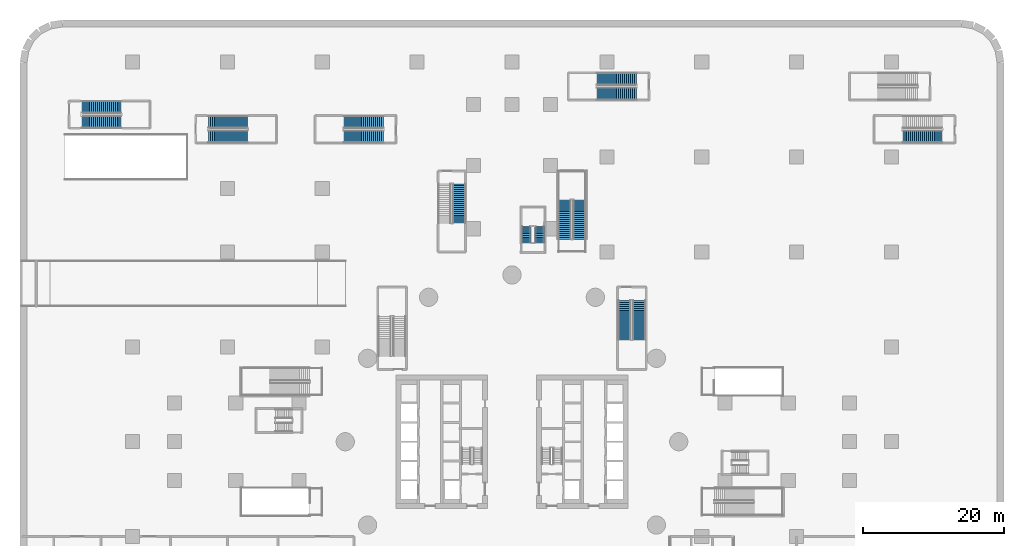
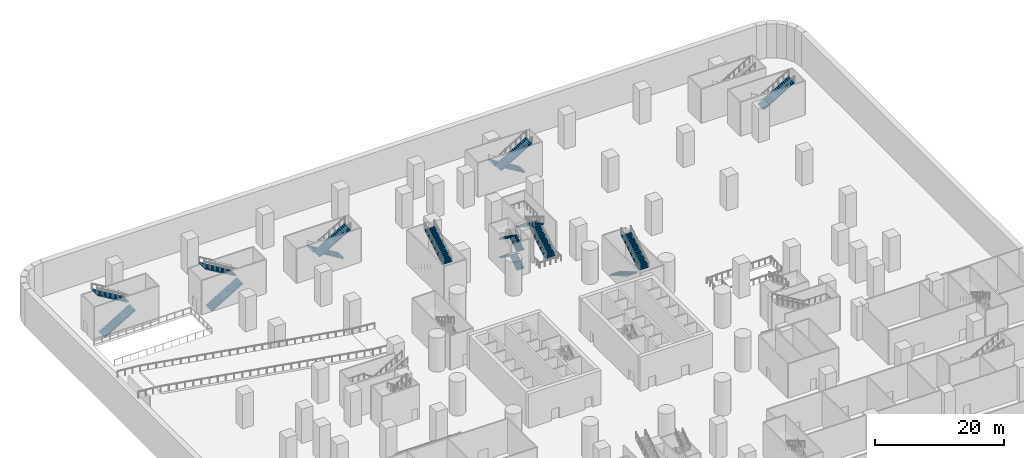
# One storey, part 18 of 37: 18 stair flights, 9 elements without a shape of their own.
"""IFC4 building model written with IfcOpenShell, lengths in metres."""

from ifc_helpers import new_model, si_unit, direction, frame, origin, place, context, subcontext, project, spatial, polyline, outline, extrude, material, type_object, element, aggregate, save


model = new_model("IFC4")

# Units and contexts
model_context = context("Model", 3, precision=1e-05, world=origin(), true_north=direction((0.0, 1.0)))
body_context = subcontext(model_context, "Body", "Model", "MODEL_VIEW")
ifc_project = project(units=[si_unit("LENGTHUNIT", "METRE"), si_unit("AREAUNIT", "SQUARE_METRE"), si_unit("VOLUMEUNIT", "CUBIC_METRE"), si_unit("PLANEANGLEUNIT", "RADIAN"), si_unit("MASSUNIT", "GRAM", prefix="KILO")], contexts=[model_context])

# Site, building, storey
site_placement = place(None, origin())
site = spatial("IfcSite", under=ifc_project, at=site_placement, CompositionType="ELEMENT")
building_placement = place(site_placement, origin())
building = spatial("IfcBuilding", under=site, at=building_placement, Name="Tamarind Cross Interchange Tower", CompositionType="ELEMENT")
storey_placement = place(building_placement, frame((0.0, 0.0, -7.0)))
storey = spatial("IfcBuildingStorey", under=building, at=storey_placement, Name="B1", CompositionType="ELEMENT", Elevation=-7.0)

# Stair, stair flights
ifc_material_1 = material(Name="Exit stair")
stair_type_1 = type_object("IfcStairType", Name="Exit stair", PredefinedType="HALF_TURN_STAIR", material=ifc_material_1)
stair_1_placement = place(storey_placement, origin())
stair_1 = element("IfcStair", 1, at=stair_1_placement, inside=storey, type_object=stair_type_1, Name="B1 exit stair ST4", PredefinedType="HALF_TURN_STAIR")
ifc_material_2 = material(Name="Exit stair flight")
stair_flight_type_1 = type_object("IfcStairFlightType", Name="Exit stair flight", PredefinedType="STRAIGHT", material=ifc_material_2)
stair_flight_1_placement = place(storey_placement, frame((3.949951171875, 28.300048828125, 0.0), z_axis=(0.0, 0.0, 1.0), x_axis=(0.0, 1.0, 0.0)))
stair_flight_1 = element("IfcStairFlight", 2, at=stair_flight_1_placement, type_object=stair_flight_type_1, Name="ST4 flight 1", NumberOfRisers=10, NumberOfTreads=9, PredefinedType="STRAIGHT", RiserHeight=0.175, TreadLength=0.26, context=body_context, shape_type="SweptSolid", body=[
    extrude(outline(polyline([(0.0, 0.0), (0.0, 0.175048828125), (0.260009765625, 0.175048828125), (0.260009765625, 0.35009765625), (0.52001953125, 0.35009765625), (0.52001953125, 0.52490234375), (0.780029296875, 0.52490234375), (0.780029296875, 0.699951171875), (1.0400390625, 0.699951171875), (1.0400390625, 0.875), (1.300048828125, 0.875), (1.300048828125, 1.050048828125), (1.56005859375, 1.050048828125), (1.56005859375, 1.22509765625), (1.820068359375, 1.22509765625), (1.820068359375, 1.39990234375), (2.080078125, 1.39990234375), (2.080078125, 1.574951171875), (2.340087890625, 1.574951171875), (2.340087890625, 1.75), (2.340087890625, 1.394287109375), (0.2685546875, 0.0), (0.0, 0.0)])), frame((0.0, 0.64990234375, 0.0), z_axis=(0.0, -1.0, 0.0), x_axis=(1.0, 0.0, 0.0)), (0.0, 0.0, 1.0), 1.300048828125),
])
stair_flight_2_placement = place(storey_placement, frame((2.050048828125, 30.639892578125, 1.75), z_axis=(0.0, 0.0, 1.0), x_axis=(0.0, -1.0, 0.0)))
stair_flight_2 = element("IfcStairFlight", 3, at=stair_flight_2_placement, type_object=stair_flight_type_1, Name="ST4 flight 2", NumberOfRisers=10, NumberOfTreads=9, PredefinedType="STRAIGHT", RiserHeight=0.175, TreadLength=0.26, context=body_context, shape_type="SweptSolid", body=[
    extrude(outline(polyline([(0.0, 0.0), (0.0, 0.175048828125), (0.260009765625, 0.175048828125), (0.260009765625, 0.35009765625), (0.52001953125, 0.35009765625), (0.52001953125, 0.52490234375), (0.780029296875, 0.52490234375), (0.780029296875, 0.699951171875), (1.0400390625, 0.699951171875), (1.0400390625, 0.875), (1.300048828125, 0.875), (1.300048828125, 1.050048828125), (1.56005859375, 1.050048828125), (1.56005859375, 1.22509765625), (1.820068359375, 1.22509765625), (1.820068359375, 1.39990234375), (2.080078125, 1.39990234375), (2.080078125, 1.574951171875), (2.340087890625, 1.574951171875), (2.340087890625, 1.75), (2.340087890625, 1.394287109375), (0.2685546875, 0.0), (0.0, 0.0)])), frame((0.0, 0.64990234375, 0.0), z_axis=(0.0, -1.0, 0.0), x_axis=(1.0, 0.0, 0.0)), (0.0, 0.0, 1.0), 1.300048828125),
])
stair_flight_3_placement = place(storey_placement, frame((3.949951171875, 28.300048828125, 3.5), z_axis=(0.0, 0.0, 1.0), x_axis=(0.0, 1.0, 0.0)))
stair_flight_3 = element("IfcStairFlight", 4, at=stair_flight_3_placement, type_object=stair_flight_type_1, Name="ST4 flight 3", NumberOfRisers=10, NumberOfTreads=9, PredefinedType="STRAIGHT", RiserHeight=0.175, TreadLength=0.26, context=body_context, shape_type="SweptSolid", body=[
    extrude(outline(polyline([(0.0, 0.0), (0.0, 0.175048828125), (0.260009765625, 0.175048828125), (0.260009765625, 0.35009765625), (0.52001953125, 0.35009765625), (0.52001953125, 0.52490234375), (0.780029296875, 0.52490234375), (0.780029296875, 0.699951171875), (1.0400390625, 0.699951171875), (1.0400390625, 0.875), (1.300048828125, 0.875), (1.300048828125, 1.050048828125), (1.56005859375, 1.050048828125), (1.56005859375, 1.22509765625), (1.820068359375, 1.22509765625), (1.820068359375, 1.39990234375), (2.080078125, 1.39990234375), (2.080078125, 1.574951171875), (2.340087890625, 1.574951171875), (2.340087890625, 1.75), (2.340087890625, 1.394287109375), (0.2685546875, 0.0), (0.0, 0.0)])), frame((0.0, 0.64990234375, 0.0), z_axis=(0.0, -1.0, 0.0), x_axis=(1.0, 0.0, 0.0)), (0.0, 0.0, 1.0), 1.300048828125),
])
stair_flight_4_placement = place(storey_placement, frame((2.050048828125, 30.639892578125, 5.25), z_axis=(0.0, 0.0, 1.0), x_axis=(0.0, -1.0, 0.0)))
stair_flight_4 = element("IfcStairFlight", 5, at=stair_flight_4_placement, type_object=stair_flight_type_1, Name="ST4 flight 4", NumberOfRisers=10, NumberOfTreads=9, PredefinedType="STRAIGHT", RiserHeight=0.175, TreadLength=0.26, context=body_context, shape_type="SweptSolid", body=[
    extrude(outline(polyline([(0.0, 0.0), (0.0, 0.175048828125), (0.260009765625, 0.175048828125), (0.260009765625, 0.35009765625), (0.52001953125, 0.35009765625), (0.52001953125, 0.52490234375), (0.780029296875, 0.52490234375), (0.780029296875, 0.699951171875), (1.0400390625, 0.699951171875), (1.0400390625, 0.875), (1.300048828125, 0.875), (1.300048828125, 1.050048828125), (1.56005859375, 1.050048828125), (1.56005859375, 1.22509765625), (1.820068359375, 1.22509765625), (1.820068359375, 1.39990234375), (2.080078125, 1.39990234375), (2.080078125, 1.574951171875), (2.340087890625, 1.574951171875), (2.340087890625, 1.75), (2.340087890625, 1.394287109375), (0.2685546875, 0.0), (0.0, 0.0)])), frame((0.0, 0.64990234375, 0.0), z_axis=(0.0, -1.0, 0.0), x_axis=(1.0, 0.0, 0.0)), (0.0, 0.0, 1.0), 1.300048828125),
])
aggregate(stair_1, [stair_flight_1, stair_flight_2, stair_flight_3, stair_flight_4])

ifc_material_3 = material(Name="Public stair")
stair_type_2 = type_object("IfcStairType", Name="Public stair", PredefinedType="HALF_TURN_STAIR", material=ifc_material_3)
stair_2_placement = place(storey_placement, origin())
stair_2 = element("IfcStair", 6, at=stair_2_placement, inside=storey, type_object=stair_type_2, Name="B1 public stair PS-N", PredefinedType="HALF_TURN_STAIR")
ifc_material_4 = material(Name="Public stair flight")
stair_flight_type_2 = type_object("IfcStairFlightType", Name="Public stair flight", PredefinedType="STRAIGHT", material=ifc_material_4)
stair_flight_5_placement = place(storey_placement, frame((9.60009765625, 28.800048828125, 0.0), z_axis=(0.0, 0.0, 1.0), x_axis=(0.0, 1.0, 0.0)))
stair_flight_5 = element("IfcStairFlight", 7, at=stair_flight_5_placement, type_object=stair_flight_type_2, Name="PS-N flight 1", NumberOfRisers=21, NumberOfTreads=20, PredefinedType="STRAIGHT", RiserHeight=0.166666667, TreadLength=0.28, context=body_context, shape_type="SweptSolid", body=[
    extrude(outline(polyline([(0.0, 0.0), (0.0, 0.166748046875), (0.280029296875, 0.166748046875), (0.280029296875, 0.333251953125), (0.56005859375, 0.333251953125), (0.56005859375, 0.5), (0.840087890625, 0.5), (0.840087890625, 0.666748046875), (1.1201171875, 0.666748046875), (1.1201171875, 0.833251953125), (1.39990234375, 0.833251953125), (1.39990234375, 1.0), (1.679931640625, 1.0), (1.679931640625, 1.166748046875), (1.9599609375, 1.166748046875), (1.9599609375, 1.333251953125), (2.239990234375, 1.333251953125), (2.239990234375, 1.5), (2.52001953125, 1.5), (2.52001953125, 1.666748046875), (2.800048828125, 1.666748046875), (2.800048828125, 1.833251953125), (3.080078125, 1.833251953125), (3.080078125, 2.0), (3.360107421875, 2.0), (3.360107421875, 2.166748046875), (3.639892578125, 2.166748046875), (3.639892578125, 2.333251953125), (3.919921875, 2.333251953125), (3.919921875, 2.5), (4.199951171875, 2.5), (4.199951171875, 2.666748046875), (4.47998046875, 2.666748046875), (4.47998046875, 2.833251953125), (4.760009765625, 2.833251953125), (4.760009765625, 3.0), (5.0400390625, 3.0), (5.0400390625, 3.166748046875), (5.320068359375, 3.166748046875), (5.320068359375, 3.333251953125), (5.60009765625, 3.333251953125), (5.60009765625, 3.5), (5.60009765625, 3.158935546875), (0.29296875, 0.0), (0.0, 0.0)])), frame((0.0, 0.89990234375, 0.0), z_axis=(0.0, -1.0, 0.0), x_axis=(1.0, 0.0, 0.0)), (0.0, 0.0, 1.0), 1.800048828125),
])
stair_flight_6_placement = place(storey_placement, frame((7.5, 34.39990234375, 3.5), z_axis=(0.0, 0.0, 1.0), x_axis=(0.0, -1.0, 0.0)))
stair_flight_6 = element("IfcStairFlight", 8, at=stair_flight_6_placement, type_object=stair_flight_type_2, Name="PS-N flight 2", NumberOfRisers=21, NumberOfTreads=20, PredefinedType="STRAIGHT", RiserHeight=0.166666667, TreadLength=0.28, context=body_context, shape_type="SweptSolid", body=[
    extrude(outline(polyline([(0.0, 0.0), (0.0, 0.166748046875), (0.280029296875, 0.166748046875), (0.280029296875, 0.333251953125), (0.56005859375, 0.333251953125), (0.56005859375, 0.5), (0.840087890625, 0.5), (0.840087890625, 0.666748046875), (1.1201171875, 0.666748046875), (1.1201171875, 0.833251953125), (1.39990234375, 0.833251953125), (1.39990234375, 1.0), (1.679931640625, 1.0), (1.679931640625, 1.166748046875), (1.9599609375, 1.166748046875), (1.9599609375, 1.333251953125), (2.239990234375, 1.333251953125), (2.239990234375, 1.5), (2.52001953125, 1.5), (2.52001953125, 1.666748046875), (2.800048828125, 1.666748046875), (2.800048828125, 1.833251953125), (3.080078125, 1.833251953125), (3.080078125, 2.0), (3.360107421875, 2.0), (3.360107421875, 2.166748046875), (3.639892578125, 2.166748046875), (3.639892578125, 2.333251953125), (3.919921875, 2.333251953125), (3.919921875, 2.5), (4.199951171875, 2.5), (4.199951171875, 2.666748046875), (4.47998046875, 2.666748046875), (4.47998046875, 2.833251953125), (4.760009765625, 2.833251953125), (4.760009765625, 3.0), (5.0400390625, 3.0), (5.0400390625, 3.166748046875), (5.320068359375, 3.166748046875), (5.320068359375, 3.333251953125), (5.60009765625, 3.333251953125), (5.60009765625, 3.5), (5.60009765625, 3.158935546875), (0.29296875, 0.0), (0.0, 0.0)])), frame((0.0, 0.89990234375, 0.0), z_axis=(0.0, -1.0, 0.0), x_axis=(1.0, 0.0, 0.0)), (0.0, 0.0, 1.0), 1.800048828125),
])
aggregate(stair_2, [stair_flight_5, stair_flight_6])

stair_3_placement = place(storey_placement, origin())
stair_3 = element("IfcStair", 9, at=stair_3_placement, inside=storey, type_object=stair_type_2, Name="B1 exit stair XS-E", PredefinedType="HALF_TURN_STAIR")
stair_flight_7_placement = place(storey_placement, frame((16.0, 20.10009765625, 0.0), z_axis=(0.0, 0.0, 1.0), x_axis=(0.0, -1.0, 0.0)))
stair_flight_7 = element("IfcStairFlight", 10, at=stair_flight_7_placement, type_object=stair_flight_type_2, Name="XS-E flight 1", NumberOfRisers=21, NumberOfTreads=20, PredefinedType="STRAIGHT", RiserHeight=0.166666667, TreadLength=0.28, context=body_context, shape_type="SweptSolid", body=[
    extrude(outline(polyline([(0.0, 0.0), (0.0, 0.166748046875), (0.280029296875, 0.166748046875), (0.280029296875, 0.333251953125), (0.56005859375, 0.333251953125), (0.56005859375, 0.5), (0.840087890625, 0.5), (0.840087890625, 0.666748046875), (1.1201171875, 0.666748046875), (1.1201171875, 0.833251953125), (1.39990234375, 0.833251953125), (1.39990234375, 1.0), (1.679931640625, 1.0), (1.679931640625, 1.166748046875), (1.9599609375, 1.166748046875), (1.9599609375, 1.333251953125), (2.239990234375, 1.333251953125), (2.239990234375, 1.5), (2.52001953125, 1.5), (2.52001953125, 1.666748046875), (2.800048828125, 1.666748046875), (2.800048828125, 1.833251953125), (3.080078125, 1.833251953125), (3.080078125, 2.0), (3.360107421875, 2.0), (3.360107421875, 2.166748046875), (3.639892578125, 2.166748046875), (3.639892578125, 2.333251953125), (3.919921875, 2.333251953125), (3.919921875, 2.5), (4.199951171875, 2.5), (4.199951171875, 2.666748046875), (4.47998046875, 2.666748046875), (4.47998046875, 2.833251953125), (4.760009765625, 2.833251953125), (4.760009765625, 3.0), (5.0400390625, 3.0), (5.0400390625, 3.166748046875), (5.320068359375, 3.166748046875), (5.320068359375, 3.333251953125), (5.60009765625, 3.333251953125), (5.60009765625, 3.5), (5.60009765625, 3.158935546875), (0.29296875, 0.0), (0.0, 0.0)])), frame((0.0, 0.89990234375, 0.0), z_axis=(0.0, -1.0, 0.0), x_axis=(1.0, 0.0, 0.0)), (0.0, 0.0, 1.0), 1.800048828125),
])
stair_flight_8_placement = place(storey_placement, frame((18.10009765625, 14.5, 3.5), z_axis=(0.0, 0.0, 1.0), x_axis=(0.0, 1.0, 0.0)))
stair_flight_8 = element("IfcStairFlight", 11, at=stair_flight_8_placement, type_object=stair_flight_type_2, Name="XS-E flight 2", NumberOfRisers=21, NumberOfTreads=20, PredefinedType="STRAIGHT", RiserHeight=0.166666667, TreadLength=0.28, context=body_context, shape_type="SweptSolid", body=[
    extrude(outline(polyline([(0.0, 0.0), (0.0, 0.166748046875), (0.280029296875, 0.166748046875), (0.280029296875, 0.333251953125), (0.56005859375, 0.333251953125), (0.56005859375, 0.5), (0.840087890625, 0.5), (0.840087890625, 0.666748046875), (1.1201171875, 0.666748046875), (1.1201171875, 0.833251953125), (1.39990234375, 0.833251953125), (1.39990234375, 1.0), (1.679931640625, 1.0), (1.679931640625, 1.166748046875), (1.9599609375, 1.166748046875), (1.9599609375, 1.333251953125), (2.239990234375, 1.333251953125), (2.239990234375, 1.5), (2.52001953125, 1.5), (2.52001953125, 1.666748046875), (2.800048828125, 1.666748046875), (2.800048828125, 1.833251953125), (3.080078125, 1.833251953125), (3.080078125, 2.0), (3.360107421875, 2.0), (3.360107421875, 2.166748046875), (3.639892578125, 2.166748046875), (3.639892578125, 2.333251953125), (3.919921875, 2.333251953125), (3.919921875, 2.5), (4.199951171875, 2.5), (4.199951171875, 2.666748046875), (4.47998046875, 2.666748046875), (4.47998046875, 2.833251953125), (4.760009765625, 2.833251953125), (4.760009765625, 3.0), (5.0400390625, 3.0), (5.0400390625, 3.166748046875), (5.320068359375, 3.166748046875), (5.320068359375, 3.333251953125), (5.60009765625, 3.333251953125), (5.60009765625, 3.5), (5.60009765625, 3.158935546875), (0.29296875, 0.0), (0.0, 0.0)])), frame((0.0, 0.89990234375, 0.0), z_axis=(0.0, -1.0, 0.0), x_axis=(1.0, 0.0, 0.0)), (0.0, 0.0, 1.0), 1.800048828125),
])
aggregate(stair_3, [stair_flight_7, stair_flight_8])

# Stair, stair flight
stair_4_placement = place(storey_placement, origin())
stair_4 = element("IfcStair", 12, at=stair_4_placement, inside=storey, type_object=stair_type_2, Name="B1 exit stair XS-P02", PredefinedType="HALF_TURN_STAIR")
stair_flight_9_placement = place(storey_placement, frame((55.60009765625, 43.39990234375, 3.5), z_axis=(0.0, 0.0, 1.0), x_axis=(1.0, 0.0, 0.0)))
stair_flight_9 = element("IfcStairFlight", 13, at=stair_flight_9_placement, type_object=stair_flight_type_2, Name="XS-P02 flight 2", NumberOfRisers=21, NumberOfTreads=20, PredefinedType="STRAIGHT", RiserHeight=0.166666667, TreadLength=0.28, context=body_context, shape_type="SweptSolid", body=[
    extrude(outline(polyline([(0.0, 0.0), (0.0, 0.166748046875), (0.280029296875, 0.166748046875), (0.280029296875, 0.333251953125), (0.56005859375, 0.333251953125), (0.56005859375, 0.5), (0.840087890625, 0.5), (0.840087890625, 0.666748046875), (1.1201171875, 0.666748046875), (1.1201171875, 0.833251953125), (1.39990234375, 0.833251953125), (1.39990234375, 1.0), (1.679931640625, 1.0), (1.679931640625, 1.166748046875), (1.9599609375, 1.166748046875), (1.9599609375, 1.333251953125), (2.239990234375, 1.333251953125), (2.239990234375, 1.5), (2.52001953125, 1.5), (2.52001953125, 1.666748046875), (2.800048828125, 1.666748046875), (2.800048828125, 1.833251953125), (3.080078125, 1.833251953125), (3.080078125, 2.0), (3.360107421875, 2.0), (3.360107421875, 2.166748046875), (3.639892578125, 2.166748046875), (3.639892578125, 2.333251953125), (3.919921875, 2.333251953125), (3.919921875, 2.5), (4.199951171875, 2.5), (4.199951171875, 2.666748046875), (4.47998046875, 2.666748046875), (4.47998046875, 2.833251953125), (4.760009765625, 2.833251953125), (4.760009765625, 3.0), (5.0400390625, 3.0), (5.0400390625, 3.166748046875), (5.320068359375, 3.166748046875), (5.320068359375, 3.333251953125), (5.60009765625, 3.333251953125), (5.60009765625, 3.5), (5.60009765625, 3.158935546875), (0.29296875, 0.0), (0.0, 0.0)])), frame((0.0, 0.89990234375, 0.0), z_axis=(0.0, -1.0, 0.0), x_axis=(1.0, 0.0, 0.0)), (0.0, 0.0, 1.0), 1.800048828125),
])
aggregate(stair_4, [stair_flight_9])

# Stair, stair flights
stair_5_placement = place(storey_placement, origin())
stair_5 = element("IfcStair", 14, at=stair_5_placement, inside=storey, type_object=stair_type_2, Name="B1 exit stair XS-P03", PredefinedType="HALF_TURN_STAIR")
stair_flight_10_placement = place(storey_placement, frame((17.699951171875, 51.60009765625, 0.0), z_axis=(0.0, 0.0, 1.0), x_axis=(-1.0, 0.0, 0.0)))
stair_flight_10 = element("IfcStairFlight", 15, at=stair_flight_10_placement, type_object=stair_flight_type_2, Name="XS-P03 flight 1", NumberOfRisers=21, NumberOfTreads=20, PredefinedType="STRAIGHT", RiserHeight=0.166666667, TreadLength=0.28, context=body_context, shape_type="SweptSolid", body=[
    extrude(outline(polyline([(0.0, 0.0), (0.0, 0.166748046875), (0.280029296875, 0.166748046875), (0.280029296875, 0.333251953125), (0.56005859375, 0.333251953125), (0.56005859375, 0.5), (0.840087890625, 0.5), (0.840087890625, 0.666748046875), (1.1201171875, 0.666748046875), (1.1201171875, 0.833251953125), (1.39990234375, 0.833251953125), (1.39990234375, 1.0), (1.679931640625, 1.0), (1.679931640625, 1.166748046875), (1.9599609375, 1.166748046875), (1.9599609375, 1.333251953125), (2.239990234375, 1.333251953125), (2.239990234375, 1.5), (2.52001953125, 1.5), (2.52001953125, 1.666748046875), (2.800048828125, 1.666748046875), (2.800048828125, 1.833251953125), (3.080078125, 1.833251953125), (3.080078125, 2.0), (3.360107421875, 2.0), (3.360107421875, 2.166748046875), (3.639892578125, 2.166748046875), (3.639892578125, 2.333251953125), (3.919921875, 2.333251953125), (3.919921875, 2.5), (4.199951171875, 2.5), (4.199951171875, 2.666748046875), (4.47998046875, 2.666748046875), (4.47998046875, 2.833251953125), (4.760009765625, 2.833251953125), (4.760009765625, 3.0), (5.0400390625, 3.0), (5.0400390625, 3.166748046875), (5.320068359375, 3.166748046875), (5.320068359375, 3.333251953125), (5.60009765625, 3.333251953125), (5.60009765625, 3.5), (5.60009765625, 3.158935546875), (0.29296875, 0.0), (0.0, 0.0)])), frame((0.0, 0.89990234375, 0.0), z_axis=(0.0, -1.0, 0.0), x_axis=(1.0, 0.0, 0.0)), (0.0, 0.0, 1.0), 1.800048828125),
])
stair_flight_11_placement = place(storey_placement, frame((12.10009765625, 49.5, 3.5), z_axis=(0.0, 0.0, 1.0), x_axis=(1.0, 0.0, 0.0)))
stair_flight_11 = element("IfcStairFlight", 16, at=stair_flight_11_placement, type_object=stair_flight_type_2, Name="XS-P03 flight 2", NumberOfRisers=21, NumberOfTreads=20, PredefinedType="STRAIGHT", RiserHeight=0.166666667, TreadLength=0.28, context=body_context, shape_type="SweptSolid", body=[
    extrude(outline(polyline([(0.0, 0.0), (0.0, 0.166748046875), (0.280029296875, 0.166748046875), (0.280029296875, 0.333251953125), (0.56005859375, 0.333251953125), (0.56005859375, 0.5), (0.840087890625, 0.5), (0.840087890625, 0.666748046875), (1.1201171875, 0.666748046875), (1.1201171875, 0.833251953125), (1.39990234375, 0.833251953125), (1.39990234375, 1.0), (1.679931640625, 1.0), (1.679931640625, 1.166748046875), (1.9599609375, 1.166748046875), (1.9599609375, 1.333251953125), (2.239990234375, 1.333251953125), (2.239990234375, 1.5), (2.52001953125, 1.5), (2.52001953125, 1.666748046875), (2.800048828125, 1.666748046875), (2.800048828125, 1.833251953125), (3.080078125, 1.833251953125), (3.080078125, 2.0), (3.360107421875, 2.0), (3.360107421875, 2.166748046875), (3.639892578125, 2.166748046875), (3.639892578125, 2.333251953125), (3.919921875, 2.333251953125), (3.919921875, 2.5), (4.199951171875, 2.5), (4.199951171875, 2.666748046875), (4.47998046875, 2.666748046875), (4.47998046875, 2.833251953125), (4.760009765625, 2.833251953125), (4.760009765625, 3.0), (5.0400390625, 3.0), (5.0400390625, 3.166748046875), (5.320068359375, 3.166748046875), (5.320068359375, 3.333251953125), (5.60009765625, 3.333251953125), (5.60009765625, 3.5), (5.60009765625, 3.158935546875), (0.29296875, 0.0), (0.0, 0.0)])), frame((0.0, 0.89990234375, 0.0), z_axis=(0.0, -1.0, 0.0), x_axis=(1.0, 0.0, 0.0)), (0.0, 0.0, 1.0), 1.800048828125),
])
aggregate(stair_5, [stair_flight_10, stair_flight_11])

stair_6_placement = place(storey_placement, origin())
stair_6 = element("IfcStair", 17, at=stair_6_placement, inside=storey, type_object=stair_type_2, Name="B1 exit stair XS-P04", PredefinedType="HALF_TURN_STAIR")
stair_flight_12_placement = place(storey_placement, frame((-43.199951171875, 43.39990234375, 0.0), z_axis=(0.0, 0.0, 1.0), x_axis=(1.0, 0.0, 0.0)))
stair_flight_12 = element("IfcStairFlight", 18, at=stair_flight_12_placement, type_object=stair_flight_type_2, Name="XS-P04 flight 1", NumberOfRisers=21, NumberOfTreads=20, PredefinedType="STRAIGHT", RiserHeight=0.166666667, TreadLength=0.28, context=body_context, shape_type="SweptSolid", body=[
    extrude(outline(polyline([(0.0, 0.0), (0.0, 0.166748046875), (0.280029296875, 0.166748046875), (0.280029296875, 0.333251953125), (0.56005859375, 0.333251953125), (0.56005859375, 0.5), (0.840087890625, 0.5), (0.840087890625, 0.666748046875), (1.1201171875, 0.666748046875), (1.1201171875, 0.833251953125), (1.39990234375, 0.833251953125), (1.39990234375, 1.0), (1.679931640625, 1.0), (1.679931640625, 1.166748046875), (1.9599609375, 1.166748046875), (1.9599609375, 1.333251953125), (2.239990234375, 1.333251953125), (2.239990234375, 1.5), (2.52001953125, 1.5), (2.52001953125, 1.666748046875), (2.800048828125, 1.666748046875), (2.800048828125, 1.833251953125), (3.080078125, 1.833251953125), (3.080078125, 2.0), (3.360107421875, 2.0), (3.360107421875, 2.166748046875), (3.639892578125, 2.166748046875), (3.639892578125, 2.333251953125), (3.919921875, 2.333251953125), (3.919921875, 2.5), (4.199951171875, 2.5), (4.199951171875, 2.666748046875), (4.47998046875, 2.666748046875), (4.47998046875, 2.833251953125), (4.760009765625, 2.833251953125), (4.760009765625, 3.0), (5.0400390625, 3.0), (5.0400390625, 3.166748046875), (5.320068359375, 3.166748046875), (5.320068359375, 3.333251953125), (5.60009765625, 3.333251953125), (5.60009765625, 3.5), (5.60009765625, 3.158935546875), (0.29296875, 0.0), (0.0, 0.0)])), frame((0.0, 0.89990234375, 0.0), z_axis=(0.0, -1.0, 0.0), x_axis=(1.0, 0.0, 0.0)), (0.0, 0.0, 1.0), 1.800048828125),
])
stair_flight_13_placement = place(storey_placement, frame((-37.60009765625, 45.5, 3.5), z_axis=(0.0, 0.0, 1.0), x_axis=(-1.0, 0.0, 0.0)))
stair_flight_13 = element("IfcStairFlight", 19, at=stair_flight_13_placement, type_object=stair_flight_type_2, Name="XS-P04 flight 2", NumberOfRisers=21, NumberOfTreads=20, PredefinedType="STRAIGHT", RiserHeight=0.166666667, TreadLength=0.28, context=body_context, shape_type="SweptSolid", body=[
    extrude(outline(polyline([(0.0, 0.0), (0.0, 0.166748046875), (0.280029296875, 0.166748046875), (0.280029296875, 0.333251953125), (0.56005859375, 0.333251953125), (0.56005859375, 0.5), (0.840087890625, 0.5), (0.840087890625, 0.666748046875), (1.1201171875, 0.666748046875), (1.1201171875, 0.833251953125), (1.39990234375, 0.833251953125), (1.39990234375, 1.0), (1.679931640625, 1.0), (1.679931640625, 1.166748046875), (1.9599609375, 1.166748046875), (1.9599609375, 1.333251953125), (2.239990234375, 1.333251953125), (2.239990234375, 1.5), (2.52001953125, 1.5), (2.52001953125, 1.666748046875), (2.800048828125, 1.666748046875), (2.800048828125, 1.833251953125), (3.080078125, 1.833251953125), (3.080078125, 2.0), (3.360107421875, 2.0), (3.360107421875, 2.166748046875), (3.639892578125, 2.166748046875), (3.639892578125, 2.333251953125), (3.919921875, 2.333251953125), (3.919921875, 2.5), (4.199951171875, 2.5), (4.199951171875, 2.666748046875), (4.47998046875, 2.666748046875), (4.47998046875, 2.833251953125), (4.760009765625, 2.833251953125), (4.760009765625, 3.0), (5.0400390625, 3.0), (5.0400390625, 3.166748046875), (5.320068359375, 3.166748046875), (5.320068359375, 3.333251953125), (5.60009765625, 3.333251953125), (5.60009765625, 3.5), (5.60009765625, 3.158935546875), (0.29296875, 0.0), (0.0, 0.0)])), frame((0.0, 0.89990234375, 0.0), z_axis=(0.0, -1.0, 0.0), x_axis=(1.0, 0.0, 0.0)), (0.0, 0.0, 1.0), 1.800048828125),
])
aggregate(stair_6, [stair_flight_12, stair_flight_13])

stair_7_placement = place(storey_placement, origin())
stair_7 = element("IfcStair", 20, at=stair_7_placement, inside=storey, type_object=stair_type_2, Name="B1 exit stair XS-P05", PredefinedType="HALF_TURN_STAIR")
stair_flight_14_placement = place(storey_placement, frame((-61.199951171875, 45.5, 0.0), z_axis=(0.0, 0.0, 1.0), x_axis=(1.0, 0.0, 0.0)))
stair_flight_14 = element("IfcStairFlight", 21, at=stair_flight_14_placement, type_object=stair_flight_type_2, Name="XS-P05 flight 1", NumberOfRisers=21, NumberOfTreads=20, PredefinedType="STRAIGHT", RiserHeight=0.166666667, TreadLength=0.28, context=body_context, shape_type="SweptSolid", body=[
    extrude(outline(polyline([(0.0, 0.0), (0.0, 0.166748046875), (0.280029296875, 0.166748046875), (0.280029296875, 0.333251953125), (0.56005859375, 0.333251953125), (0.56005859375, 0.5), (0.840087890625, 0.5), (0.840087890625, 0.666748046875), (1.1201171875, 0.666748046875), (1.1201171875, 0.833251953125), (1.39990234375, 0.833251953125), (1.39990234375, 1.0), (1.679931640625, 1.0), (1.679931640625, 1.166748046875), (1.9599609375, 1.166748046875), (1.9599609375, 1.333251953125), (2.239990234375, 1.333251953125), (2.239990234375, 1.5), (2.52001953125, 1.5), (2.52001953125, 1.666748046875), (2.800048828125, 1.666748046875), (2.800048828125, 1.833251953125), (3.080078125, 1.833251953125), (3.080078125, 2.0), (3.360107421875, 2.0), (3.360107421875, 2.166748046875), (3.639892578125, 2.166748046875), (3.639892578125, 2.333251953125), (3.919921875, 2.333251953125), (3.919921875, 2.5), (4.199951171875, 2.5), (4.199951171875, 2.666748046875), (4.47998046875, 2.666748046875), (4.47998046875, 2.833251953125), (4.760009765625, 2.833251953125), (4.760009765625, 3.0), (5.0400390625, 3.0), (5.0400390625, 3.166748046875), (5.320068359375, 3.166748046875), (5.320068359375, 3.333251953125), (5.60009765625, 3.333251953125), (5.60009765625, 3.5), (5.60009765625, 3.158935546875), (0.29296875, 0.0), (0.0, 0.0)])), frame((0.0, 0.89990234375, 0.0), z_axis=(0.0, -1.0, 0.0), x_axis=(1.0, 0.0, 0.0)), (0.0, 0.0, 1.0), 1.800048828125),
])
stair_flight_15_placement = place(storey_placement, frame((-55.60009765625, 47.60009765625, 3.5), z_axis=(0.0, 0.0, 1.0), x_axis=(-1.0, 0.0, 0.0)))
stair_flight_15 = element("IfcStairFlight", 22, at=stair_flight_15_placement, type_object=stair_flight_type_2, Name="XS-P05 flight 2", NumberOfRisers=21, NumberOfTreads=20, PredefinedType="STRAIGHT", RiserHeight=0.166666667, TreadLength=0.28, context=body_context, shape_type="SweptSolid", body=[
    extrude(outline(polyline([(0.0, 0.0), (0.0, 0.166748046875), (0.280029296875, 0.166748046875), (0.280029296875, 0.333251953125), (0.56005859375, 0.333251953125), (0.56005859375, 0.5), (0.840087890625, 0.5), (0.840087890625, 0.666748046875), (1.1201171875, 0.666748046875), (1.1201171875, 0.833251953125), (1.39990234375, 0.833251953125), (1.39990234375, 1.0), (1.679931640625, 1.0), (1.679931640625, 1.166748046875), (1.9599609375, 1.166748046875), (1.9599609375, 1.333251953125), (2.239990234375, 1.333251953125), (2.239990234375, 1.5), (2.52001953125, 1.5), (2.52001953125, 1.666748046875), (2.800048828125, 1.666748046875), (2.800048828125, 1.833251953125), (3.080078125, 1.833251953125), (3.080078125, 2.0), (3.360107421875, 2.0), (3.360107421875, 2.166748046875), (3.639892578125, 2.166748046875), (3.639892578125, 2.333251953125), (3.919921875, 2.333251953125), (3.919921875, 2.5), (4.199951171875, 2.5), (4.199951171875, 2.666748046875), (4.47998046875, 2.666748046875), (4.47998046875, 2.833251953125), (4.760009765625, 2.833251953125), (4.760009765625, 3.0), (5.0400390625, 3.0), (5.0400390625, 3.166748046875), (5.320068359375, 3.166748046875), (5.320068359375, 3.333251953125), (5.60009765625, 3.333251953125), (5.60009765625, 3.5), (5.60009765625, 3.158935546875), (0.29296875, 0.0), (0.0, 0.0)])), frame((0.0, 0.89990234375, 0.0), z_axis=(0.0, -1.0, 0.0), x_axis=(1.0, 0.0, 0.0)), (0.0, 0.0, 1.0), 1.800048828125),
])
aggregate(stair_7, [stair_flight_14, stair_flight_15])

stair_8_placement = place(storey_placement, origin())
stair_8 = element("IfcStair", 23, at=stair_8_placement, inside=storey, type_object=stair_type_2, Name="B1 exit stair XS-P06", PredefinedType="HALF_TURN_STAIR")
stair_flight_16_placement = place(storey_placement, frame((-18.300048828125, 45.5, 0.0), z_axis=(0.0, 0.0, 1.0), x_axis=(-1.0, 0.0, 0.0)))
stair_flight_16 = element("IfcStairFlight", 24, at=stair_flight_16_placement, type_object=stair_flight_type_2, Name="XS-P06 flight 1", NumberOfRisers=21, NumberOfTreads=20, PredefinedType="STRAIGHT", RiserHeight=0.166666667, TreadLength=0.28, context=body_context, shape_type="SweptSolid", body=[
    extrude(outline(polyline([(0.0, 0.0), (0.0, 0.166748046875), (0.280029296875, 0.166748046875), (0.280029296875, 0.333251953125), (0.56005859375, 0.333251953125), (0.56005859375, 0.5), (0.840087890625, 0.5), (0.840087890625, 0.666748046875), (1.1201171875, 0.666748046875), (1.1201171875, 0.833251953125), (1.39990234375, 0.833251953125), (1.39990234375, 1.0), (1.679931640625, 1.0), (1.679931640625, 1.166748046875), (1.9599609375, 1.166748046875), (1.9599609375, 1.333251953125), (2.239990234375, 1.333251953125), (2.239990234375, 1.5), (2.52001953125, 1.5), (2.52001953125, 1.666748046875), (2.800048828125, 1.666748046875), (2.800048828125, 1.833251953125), (3.080078125, 1.833251953125), (3.080078125, 2.0), (3.360107421875, 2.0), (3.360107421875, 2.166748046875), (3.639892578125, 2.166748046875), (3.639892578125, 2.333251953125), (3.919921875, 2.333251953125), (3.919921875, 2.5), (4.199951171875, 2.5), (4.199951171875, 2.666748046875), (4.47998046875, 2.666748046875), (4.47998046875, 2.833251953125), (4.760009765625, 2.833251953125), (4.760009765625, 3.0), (5.0400390625, 3.0), (5.0400390625, 3.166748046875), (5.320068359375, 3.166748046875), (5.320068359375, 3.333251953125), (5.60009765625, 3.333251953125), (5.60009765625, 3.5), (5.60009765625, 3.158935546875), (0.29296875, 0.0), (0.0, 0.0)])), frame((0.0, 0.89990234375, 0.0), z_axis=(0.0, -1.0, 0.0), x_axis=(1.0, 0.0, 0.0)), (0.0, 0.0, 1.0), 1.800048828125),
])
stair_flight_17_placement = place(storey_placement, frame((-23.89990234375, 43.39990234375, 3.5), z_axis=(0.0, 0.0, 1.0), x_axis=(1.0, 0.0, 0.0)))
stair_flight_17 = element("IfcStairFlight", 25, at=stair_flight_17_placement, type_object=stair_flight_type_2, Name="XS-P06 flight 2", NumberOfRisers=21, NumberOfTreads=20, PredefinedType="STRAIGHT", RiserHeight=0.166666667, TreadLength=0.28, context=body_context, shape_type="SweptSolid", body=[
    extrude(outline(polyline([(0.0, 0.0), (0.0, 0.166748046875), (0.280029296875, 0.166748046875), (0.280029296875, 0.333251953125), (0.56005859375, 0.333251953125), (0.56005859375, 0.5), (0.840087890625, 0.5), (0.840087890625, 0.666748046875), (1.1201171875, 0.666748046875), (1.1201171875, 0.833251953125), (1.39990234375, 0.833251953125), (1.39990234375, 1.0), (1.679931640625, 1.0), (1.679931640625, 1.166748046875), (1.9599609375, 1.166748046875), (1.9599609375, 1.333251953125), (2.239990234375, 1.333251953125), (2.239990234375, 1.5), (2.52001953125, 1.5), (2.52001953125, 1.666748046875), (2.800048828125, 1.666748046875), (2.800048828125, 1.833251953125), (3.080078125, 1.833251953125), (3.080078125, 2.0), (3.360107421875, 2.0), (3.360107421875, 2.166748046875), (3.639892578125, 2.166748046875), (3.639892578125, 2.333251953125), (3.919921875, 2.333251953125), (3.919921875, 2.5), (4.199951171875, 2.5), (4.199951171875, 2.666748046875), (4.47998046875, 2.666748046875), (4.47998046875, 2.833251953125), (4.760009765625, 2.833251953125), (4.760009765625, 3.0), (5.0400390625, 3.0), (5.0400390625, 3.166748046875), (5.320068359375, 3.166748046875), (5.320068359375, 3.333251953125), (5.60009765625, 3.333251953125), (5.60009765625, 3.5), (5.60009765625, 3.158935546875), (0.29296875, 0.0), (0.0, 0.0)])), frame((0.0, 0.89990234375, 0.0), z_axis=(0.0, -1.0, 0.0), x_axis=(1.0, 0.0, 0.0)), (0.0, 0.0, 1.0), 1.800048828125),
])
aggregate(stair_8, [stair_flight_16, stair_flight_17])

# Stair, stair flight
stair_9_placement = place(storey_placement, origin())
stair_9 = element("IfcStair", 26, at=stair_9_placement, inside=storey, type_object=stair_type_2, Name="B1 exit stair XS-P13", PredefinedType="HALF_TURN_STAIR")
stair_flight_18_placement = place(storey_placement, frame((-7.5, 31.10009765625, 3.5), z_axis=(0.0, 0.0, 1.0), x_axis=(0.0, 1.0, 0.0)))
stair_flight_18 = element("IfcStairFlight", 27, at=stair_flight_18_placement, type_object=stair_flight_type_2, Name="XS-P13 flight 2", NumberOfRisers=21, NumberOfTreads=20, PredefinedType="STRAIGHT", RiserHeight=0.166666667, TreadLength=0.28, context=body_context, shape_type="SweptSolid", body=[
    extrude(outline(polyline([(0.0, 0.0), (0.0, 0.166748046875), (0.280029296875, 0.166748046875), (0.280029296875, 0.333251953125), (0.56005859375, 0.333251953125), (0.56005859375, 0.5), (0.840087890625, 0.5), (0.840087890625, 0.666748046875), (1.1201171875, 0.666748046875), (1.1201171875, 0.833251953125), (1.39990234375, 0.833251953125), (1.39990234375, 1.0), (1.679931640625, 1.0), (1.679931640625, 1.166748046875), (1.9599609375, 1.166748046875), (1.9599609375, 1.333251953125), (2.239990234375, 1.333251953125), (2.239990234375, 1.5), (2.52001953125, 1.5), (2.52001953125, 1.666748046875), (2.800048828125, 1.666748046875), (2.800048828125, 1.833251953125), (3.080078125, 1.833251953125), (3.080078125, 2.0), (3.360107421875, 2.0), (3.360107421875, 2.166748046875), (3.639892578125, 2.166748046875), (3.639892578125, 2.333251953125), (3.919921875, 2.333251953125), (3.919921875, 2.5), (4.199951171875, 2.5), (4.199951171875, 2.666748046875), (4.47998046875, 2.666748046875), (4.47998046875, 2.833251953125), (4.760009765625, 2.833251953125), (4.760009765625, 3.0), (5.0400390625, 3.0), (5.0400390625, 3.166748046875), (5.320068359375, 3.166748046875), (5.320068359375, 3.333251953125), (5.60009765625, 3.333251953125), (5.60009765625, 3.5), (5.60009765625, 3.158935546875), (0.29296875, 0.0), (0.0, 0.0)])), frame((0.0, 0.89990234375, 0.0), z_axis=(0.0, -1.0, 0.0), x_axis=(1.0, 0.0, 0.0)), (0.0, 0.0, 1.0), 1.800048828125),
])
aggregate(stair_9, [stair_flight_18])

save(model, "model.ifc")
